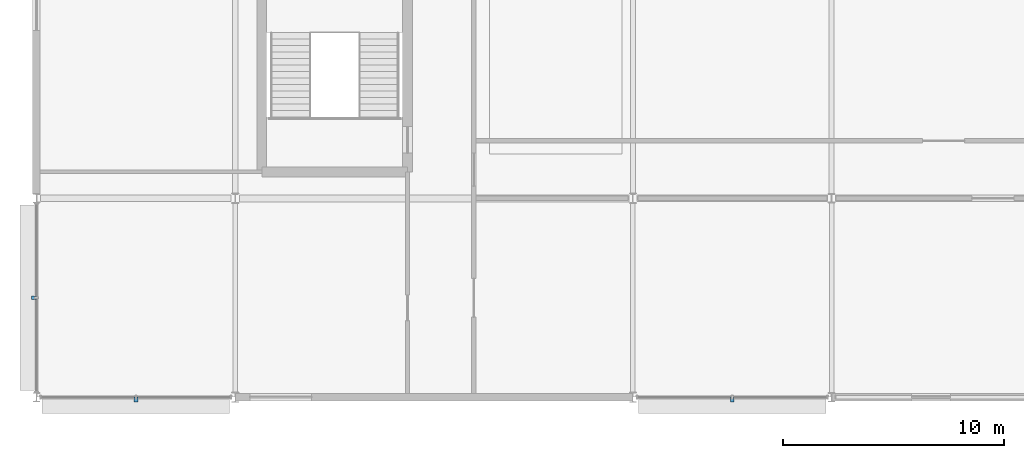
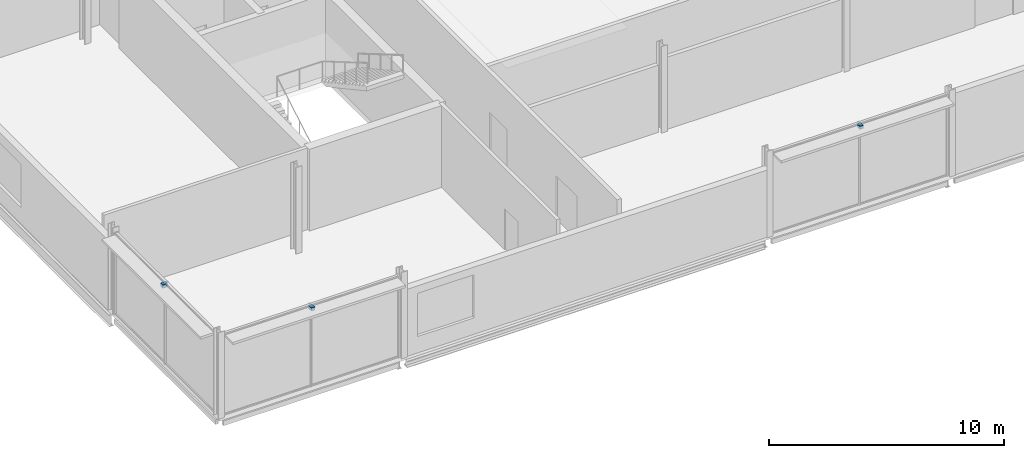
# One storey, part 48 of 73: 3 discrete accessories.
"""IFC4 building model written with IfcOpenShell, lengths in metres."""

import ifcopenshell
import ifcopenshell.guid

model = None  # the IFC model being written
_history = None  # IfcOwnerHistory: only IFC2X3 demands one
_inside = {}  # id of a spatial element -> (the spatial element, [elements in it])
_under = {}  # id of a project, library or spatial element -> (it, [spatial elements below it])
_declared = {}  # id of a project -> (the project, [libraries it declares])
_typed = {}  # id of a type object -> (the type object, [elements of that type])
_made_of = {}  # id of a material, layer set ... -> (it, [elements and type objects made of it])


def new_model(schema):
    """Start an empty IFC model of exactly this schema.

    Asked for "IFC4X3", IfcOpenShell would pick the latest addendum, in which some entities
    have other attributes; the version numbers below select the first issue.
    IFC2X3 requires an IfcOwnerHistory on every rooted entity: one is made here for all.
    """
    global model, _history
    if schema == "IFC4X3":
        model = ifcopenshell.file(schema_version=(4, 3, 0, 0))
    else:
        model = ifcopenshell.file(schema=schema)
    _inside.clear()
    _under.clear()
    _declared.clear()
    _typed.clear()
    _made_of.clear()
    _history = None
    if model.schema == "IFC2X3":
        org = make("IfcOrganization", Name="unknown")
        user = make(
            "IfcPersonAndOrganization",
            ThePerson=make("IfcPerson", FamilyName="unknown"),
            TheOrganization=org,
        )
        app = make(
            "IfcApplication",
            ApplicationDeveloper=org,
            Version="unknown",
            ApplicationFullName="unknown",
            ApplicationIdentifier="unknown",
        )
        _history = make(
            "IfcOwnerHistory",
            OwningUser=user,
            OwningApplication=app,
            ChangeAction="ADDED",
            CreationDate=0,
        )
    return model


def make(cls, **values):
    """One entity of the class cls with the attributes given. An attribute that is None is left unset."""
    return model.create_entity(
        cls, **{name: value for name, value in values.items() if value is not None}
    )


def rooted(cls, **values):
    """An entity with a GlobalId (a new one), such as an element, a storey or a relation."""
    return make(cls, GlobalId=ifcopenshell.guid.new(), OwnerHistory=_history, **values)


def si_unit(unit_type, name, prefix=None):
    """IfcSIUnit, for example si_unit("LENGTHUNIT", "METRE", prefix="MILLI")."""
    return make("IfcSIUnit", UnitType=unit_type, Prefix=prefix, Name=name)


def assignment(units):
    """IfcUnitAssignment: the units of a project."""
    return None if units is None else make("IfcUnitAssignment", Units=units)


def point(xyz):
    """IfcCartesianPoint."""
    return None if xyz is None else make("IfcCartesianPoint", Coordinates=xyz)


def direction(xyz):
    """IfcDirection."""
    return None if xyz is None else make("IfcDirection", DirectionRatios=xyz)


def frame(location, z_axis=None, x_axis=None):
    """IfcAxis2Placement3D, a coordinate frame: its origin and axes. An axis left out is left unset."""
    return make(
        "IfcAxis2Placement3D",
        Location=point(location),
        Axis=direction(z_axis),
        RefDirection=direction(x_axis),
    )


def frame_2d(location, x_axis=None):
    """IfcAxis2Placement2D, a coordinate frame in the plane: its origin and x axis."""
    return make(
        "IfcAxis2Placement2D", Location=point(location), RefDirection=direction(x_axis)
    )


def origin():
    """The frame at (0, 0, 0) with its axes left unset."""
    return frame((0.0, 0.0, 0.0))


def origin_2d():
    """The frame at (0, 0) in the plane with its x axis left unset."""
    return frame_2d((0.0, 0.0))


def place(relative_to, where):
    """IfcLocalPlacement: puts the frame where relative to a parent placement (None: the world)."""
    return make(
        "IfcLocalPlacement", PlacementRelTo=relative_to, RelativePlacement=where
    )


def context(
    kind, dimensions, precision=None, world=None, true_north=None, identifier=None
):
    """IfcGeometricRepresentationContext, for example the 3D "Model" context."""
    return make(
        "IfcGeometricRepresentationContext",
        ContextIdentifier=identifier,
        ContextType=kind,
        CoordinateSpaceDimension=dimensions,
        Precision=precision,
        WorldCoordinateSystem=world,
        TrueNorth=true_north,
    )


def subcontext(parent, identifier, kind, view, scale=None):
    """IfcGeometricRepresentationSubContext, for example "Body" below "Model"."""
    return make(
        "IfcGeometricRepresentationSubContext",
        ContextIdentifier=identifier,
        ContextType=kind,
        ParentContext=parent,
        TargetScale=scale,
        TargetView=view,
    )


def project(units=None, contexts=None):
    """IfcProject with its units and contexts."""
    return rooted(
        "IfcProject",
        Name="project",
        RepresentationContexts=contexts,
        UnitsInContext=assignment(units),
    )


def spatial(cls, under=None, at=None, **own):
    """A site, building, storey or space (cls), placed at a placement, below another one or the project."""
    s = rooted(cls, ObjectPlacement=at, **own)
    if under is not None:
        _under.setdefault(under.id(), (under, []))[1].append(s)
    return s


def profile(cls, at=None, kind="AREA", **sizes):
    """A parametric profile (cls). Its sizes go by their IFC names, for example OverallWidth=200.0."""
    return make(cls, ProfileType=kind, Position=at, **sizes)


def rectangle(**sizes):
    """IfcRectangleProfileDef."""
    return profile("IfcRectangleProfileDef", **sizes)


def extrude(swept, where, along, depth):
    """IfcExtrudedAreaSolid: the profile swept, set in the frame where, extruded along a direction by depth."""
    return make(
        "IfcExtrudedAreaSolid",
        SweptArea=swept,
        Position=where,
        ExtrudedDirection=direction(along),
        Depth=depth,
    )


def shape(context_of_items, identifier, shape_type, items):
    """IfcShapeRepresentation: the items that make up one representation, for example the "Body"."""
    return make(
        "IfcShapeRepresentation",
        ContextOfItems=context_of_items,
        RepresentationIdentifier=identifier,
        RepresentationType=shape_type,
        Items=items,
    )


def material(Name=None, Category=None):
    """IfcMaterial."""
    return make("IfcMaterial", Name=Name, Category=Category)


def made_of(thing, what):
    """Note that an element or type object is made of a material, layer set ...; save() writes the relation."""
    if what is not None:
        _made_of.setdefault(what.id(), (what, []))[1].append(thing)
    return thing


def type_object(cls, material=None, **own):
    """A type object (cls), such as IfcWallType, which elements share."""
    return made_of(rooted(cls, **own), material)


def element(
    cls,
    number,
    at=None,
    inside=None,
    cuts=None,
    type_object=None,
    material=None,
    context=None,
    identifier="Body",
    shape_type=None,
    held_by="IfcProductDefinitionShape",
    body=None,
    shapes=None,
    **own,
):
    """One element of the class cls, such as IfcWall. Its Tag is "e" and its number.

    at: its placement. inside: the storey or other place that contains it. cuts: it is an
    opening in that element (IfcRelVoidsElement). A single representation is given by context,
    identifier, shape_type and body (its items); several are given by shapes. held_by: the class
    of the entity that holds the representations. save() writes the other relations.
    """
    e = rooted(cls, Tag="e%d" % number, ObjectPlacement=at, **own)
    if body is not None:
        shapes = [shape(context, identifier, shape_type, body)]
    if shapes is not None:
        e.Representation = make(held_by, Representations=shapes)
    if inside is not None:
        _inside.setdefault(inside.id(), (inside, []))[1].append(e)
    if cuts is not None:
        rooted(
            "IfcRelVoidsElement", RelatingBuildingElement=cuts, RelatedOpeningElement=e
        )
    if type_object is not None:
        _typed.setdefault(type_object.id(), (type_object, []))[1].append(e)
    return made_of(e, material)


def aggregate(whole, parts):
    """IfcRelAggregates: a whole, such as a stair, and the parts it consists of."""
    return rooted("IfcRelAggregates", RelatingObject=whole, RelatedObjects=parts)


def save(model, path):
    """Write the relations noted so far, then the file.

    IfcRelAggregates (storeys below a building ...), IfcRelContainedInSpatialStructure (elements
    in a storey), IfcRelDefinesByType, IfcRelAssociatesMaterial and IfcRelDeclares: one each for
    every whole, place, type object, material and project.
    """
    for whole, parts in _under.values():
        aggregate(whole, parts)
    for where, things in _inside.values():
        rooted(
            "IfcRelContainedInSpatialStructure",
            RelatedElements=things,
            RelatingStructure=where,
        )
    for kind, things in _typed.values():
        rooted("IfcRelDefinesByType", RelatedObjects=things, RelatingType=kind)
    for what, things in _made_of.values():
        rooted("IfcRelAssociatesMaterial", RelatedObjects=things, RelatingMaterial=what)
    for by, libraries in _declared.values():
        rooted("IfcRelDeclares", RelatingContext=by, RelatedDefinitions=libraries)
    model.write(path)


model = new_model("IFC4")

# Units and contexts
model_context = context("Model", 3, precision=1e-05, world=origin(), true_north=direction((0.0, 1.0)))
body_context = subcontext(model_context, "Body", "Model", "MODEL_VIEW")
ifc_project = project(units=[si_unit("LENGTHUNIT", "METRE"), si_unit("AREAUNIT", "SQUARE_METRE"), si_unit("VOLUMEUNIT", "CUBIC_METRE"), si_unit("PLANEANGLEUNIT", "RADIAN"), si_unit("MASSUNIT", "GRAM", prefix="KILO")], contexts=[model_context])

# Site, building, storey
site_placement = place(None, origin())
site = spatial("IfcSite", under=ifc_project, at=site_placement, CompositionType="ELEMENT")
building_placement = place(site_placement, origin())
building = spatial("IfcBuilding", under=site, at=building_placement, Name="Kisiwana Market Hall", CompositionType="ELEMENT")
storey_placement = place(building_placement, frame((0.0, 0.0, 33.300048828125)))
storey = spatial("IfcBuildingStorey", under=building, at=storey_placement, Name="L07", CompositionType="ELEMENT", Elevation=33.300048828125)

# Discrete accessories
ifc_material = material(Name="Steel S355", Category="steel")
discrete_accessory_type = type_object("IfcDiscreteAccessoryType", Name="ACC-BRACKET-STL", PredefinedType="BRACKET", material=ifc_material)
for number, where, z_axis, x_axis, name in (
    (1, (4.5, 8.889892578125, 4.044921875), (0.0, 0.0, 1.0), (1.0, 0.0, 0.0), "Sunshade steel bracket BRK-126"),
    (2, (31.5, 8.889892578125, 4.044921875), (0.0, 0.0, 1.0), (1.0, 0.0, 0.0), "Sunshade steel bracket BRK-127"),
    (3, (-0.110107421875, 13.5, 4.044921875), (0.0, 0.0, 1.0), (0.0, 1.0, 0.0), "Sunshade steel bracket BRK-135"),
):
    element("IfcDiscreteAccessory", number, at=place(storey_placement, frame(where, z_axis=z_axis, x_axis=x_axis)), inside=storey, type_object=discrete_accessory_type, Name=name, PredefinedType="BRACKET", context=body_context, shape_type="SweptSolid", body=[
        extrude(rectangle(XDim=0.179931640625, YDim=0.239990234375, at=origin_2d()), origin(), (0.0, 0.0, 1.0), 0.179931640625),
    ])

save(model, "model.ifc")
